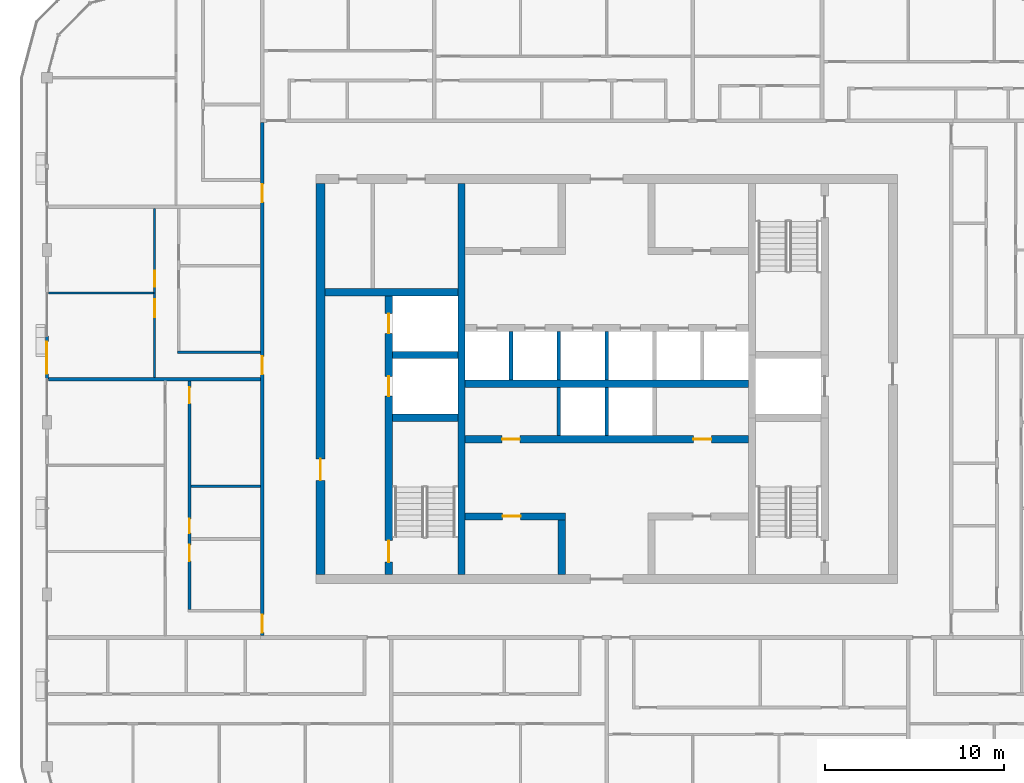
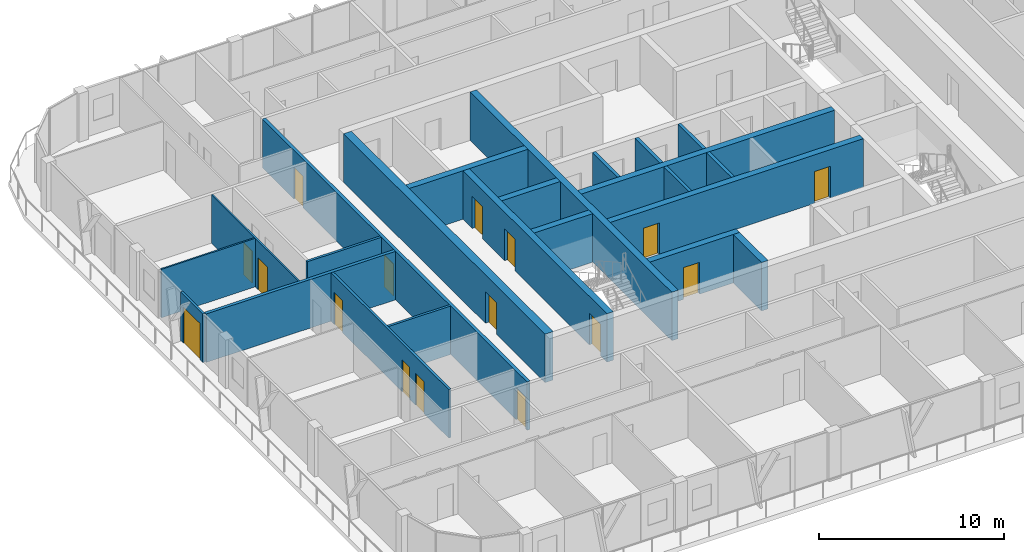
# One storey, part 10 of 21: 23 walls, 16 doors, 16 openings.
"""IFC4 building model written with IfcOpenShell, lengths in metres."""

from ifc_helpers import new_model, si_unit, direction, frame, frame_2d, origin, place, context, subcontext, project, spatial, rectangle, extrude, material, layer, layer_set, type_object, element, fill, save


model = new_model("IFC4")

# Units and contexts
model_context = context("Model", 3, precision=1e-05, world=origin(), true_north=direction((0.0, 1.0)))
body_context = subcontext(model_context, "Body", "Model", "MODEL_VIEW")
ifc_project = project(units=[si_unit("LENGTHUNIT", "METRE"), si_unit("AREAUNIT", "SQUARE_METRE"), si_unit("VOLUMEUNIT", "CUBIC_METRE"), si_unit("PLANEANGLEUNIT", "RADIAN"), si_unit("MASSUNIT", "GRAM", prefix="KILO")], contexts=[model_context])

# Site, building, storey
site_placement = place(None, origin())
site = spatial("IfcSite", under=ifc_project, at=site_placement, CompositionType="ELEMENT")
building_placement = place(site_placement, origin())
building = spatial("IfcBuilding", under=site, at=building_placement, Name="Madar Terraces", CompositionType="ELEMENT")
storey_placement = place(building_placement, frame((0.0, 0.0, 275.60009765625)))
storey = spatial("IfcBuildingStorey", under=building, at=storey_placement, Name="L72", CompositionType="ELEMENT", Elevation=275.60009765625)

# Wall, openings, doors
ifc_material_1 = material(Name="Concrete C50/60", Category="concrete")
ifc_layer_1 = layer(ifc_material_1, 0.39990234375)
ifc_layer_set_1 = layer_set([ifc_layer_1], Name="Concrete C50/60 (CIW6 RC wall 400)")
wall_type_1 = type_object("IfcWallType", Name="CIW6 RC wall 400", PredefinedType="SHEAR", material=ifc_layer_set_1)
wall_1_placement = place(storey_placement, frame((19.050048828125, 15.5, 0.0), z_axis=(0.0, 0.0, 1.0), x_axis=(0.0, 1.0, 0.0)))
wall_1 = element("IfcWall", 1, at=wall_1_placement, inside=storey, type_object=wall_type_1, Name="CORE SHAFT WALL", PredefinedType="SHEAR", context=body_context, shape_type="SweptSolid", body=[
    extrude(rectangle(XDim=15.550048828125, YDim=0.39990234375, at=frame_2d((7.77490234375, 0.0))), origin(), (0.0, 0.0, 1.0), 3.199951171875),
])
opening_1_placement = place(wall_1_placement, frame((9.949951171875, 0.0, 0.0)))
opening_1 = element("IfcOpeningElement", 2, at=opening_1_placement, cuts=wall_1, Name="Opening LD", PredefinedType="OPENING", context=body_context, shape_type="SweptSolid", body=[
    extrude(rectangle(XDim=1.10009765625, YDim=2.10009765625, at=frame_2d((0.550048828125, 1.050048828125))), frame((0.0, 0.2099609375, 0.0), z_axis=(0.0, -1.0, 0.0), x_axis=(1.0, 0.0, 0.0)), (0.0, 0.0, 1.0), 0.419921875),
])
opening_2_placement = place(wall_1_placement, frame((13.449951171875, 0.0, 0.0)))
opening_2 = element("IfcOpeningElement", 3, at=opening_2_placement, cuts=wall_1, Name="Opening LD", PredefinedType="OPENING", context=body_context, shape_type="SweptSolid", body=[
    extrude(rectangle(XDim=1.10009765625, YDim=2.10009765625, at=frame_2d((0.550048828125, 1.050048828125))), frame((0.0, 0.2099609375, 0.0), z_axis=(0.0, -1.0, 0.0), x_axis=(1.0, 0.0, 0.0)), (0.0, 0.0, 1.0), 0.419921875),
])
opening_3_placement = place(wall_1_placement, frame((0.699951171875, 0.0, 0.0)))
opening_3 = element("IfcOpeningElement", 4, at=opening_3_placement, cuts=wall_1, Name="Opening SD1", PredefinedType="OPENING", context=body_context, shape_type="SweptSolid", body=[
    extrude(rectangle(XDim=1.199951171875, YDim=2.10009765625, at=frame_2d((0.60009765625, 1.050048828125))), frame((0.0, 0.2099609375, 0.0), z_axis=(0.0, -1.0, 0.0), x_axis=(1.0, 0.0, 0.0)), (0.0, 0.0, 1.0), 0.419921875),
])
ifc_material_2 = material(Name="Stainless steel panel", Category="steel")
door_type_1 = type_object("IfcDoorType", Name="Lift landing door 1100 x 2100", OperationType="DOUBLE_DOOR_SLIDING", PredefinedType="DOOR", material=ifc_material_2)
door_1_placement = place(opening_1_placement, origin())
door_1 = element("IfcDoor", 5, at=door_1_placement, inside=storey, type_object=door_type_1, Name="LIFT LANDING DOOR", OperationType="DOUBLE_DOOR_SLIDING", OverallHeight=2.10009765625, OverallWidth=1.10009765625, PredefinedType="DOOR", context=body_context, shape_type="SweptSolid", body=[
    extrude(rectangle(XDim=1.10009765625, YDim=2.10009765625, at=frame_2d((0.550048828125, 1.050048828125))), frame((0.0, 0.02490234375, 0.0), z_axis=(0.0, -1.0, 0.0), x_axis=(1.0, 0.0, 0.0)), (0.0, 0.0, 1.0), 0.050048828125),
])
fill(opening_1, door_1)
door_2_placement = place(opening_2_placement, origin())
door_2 = element("IfcDoor", 6, at=door_2_placement, inside=storey, type_object=door_type_1, Name="LIFT LANDING DOOR", OperationType="DOUBLE_DOOR_SLIDING", OverallHeight=2.10009765625, OverallWidth=1.10009765625, PredefinedType="DOOR", context=body_context, shape_type="SweptSolid", body=[
    extrude(rectangle(XDim=1.10009765625, YDim=2.10009765625, at=frame_2d((0.550048828125, 1.050048828125))), frame((0.0, 0.02490234375, 0.0), z_axis=(0.0, -1.0, 0.0), x_axis=(1.0, 0.0, 0.0)), (0.0, 0.0, 1.0), 0.050048828125),
])
fill(opening_2, door_2)
ifc_material_3 = material(Name="Steel door leaf", Category="steel")
door_type_2 = type_object("IfcDoorType", Name="Stair door 1200 x 2100", OperationType="NOTDEFINED", PredefinedType="DOOR", material=ifc_material_3)
door_3_placement = place(opening_3_placement, frame((1.199951171875, 0.0, 0.0), z_axis=(0.0, 0.0, 1.0), x_axis=(-1.0, 0.0, 0.0)))
door_3 = element("IfcDoor", 7, at=door_3_placement, inside=storey, type_object=door_type_2, Name="STAIR DOOR", OperationType="SINGLE_SWING_RIGHT", OverallHeight=2.10009765625, OverallWidth=1.199951171875, PredefinedType="DOOR", context=body_context, shape_type="SweptSolid", body=[
    extrude(rectangle(XDim=1.199951171875, YDim=2.10009765625, at=frame_2d((0.60009765625, 1.050048828125))), frame((0.0, 0.02490234375, 0.0), z_axis=(0.0, -1.0, 0.0), x_axis=(1.0, 0.0, 0.0)), (0.0, 0.0, 1.0), 0.050048828125),
])
fill(opening_3, door_3)

# Walls
wall_2_placement = place(storey_placement, frame((23.10009765625, 15.5, 0.0), z_axis=(0.0, 0.0, 1.0), x_axis=(0.0, 1.0, 0.0)))
element("IfcWall", 8, at=wall_2_placement, inside=storey, type_object=wall_type_1, Name="CORE SHAFT WALL", PredefinedType="SHEAR", context=body_context, shape_type="SweptSolid", body=[
    extrude(rectangle(XDim=21.800048828125, YDim=0.39990234375, at=frame_2d((10.89990234375, 0.0))), origin(), (0.0, 0.0, 1.0), 3.199951171875),
])
for number, where, z_axis, x_axis, name in (
    (9, (19.25, 24.25, 0.0), (0.0, 0.0, 1.0), (1.0, 0.0, 0.0), "CORE SHAFT WALL"),
    (10, (19.25, 27.75, 0.0), (0.0, 0.0, 1.0), (1.0, 0.0, 0.0), "CORE SHAFT WALL"),
):
    element("IfcWall", number, at=place(storey_placement, frame(where, z_axis=z_axis, x_axis=x_axis)), inside=storey, type_object=wall_type_1, Name=name, PredefinedType="SHEAR", context=body_context, shape_type="SweptSolid", body=[
        extrude(rectangle(XDim=3.64990234375, YDim=0.39990234375, at=frame_2d((1.824951171875, 0.0))), origin(), (0.0, 0.0, 1.0), 3.199951171875),
    ])
wall_3_placement = place(storey_placement, frame((15.5, 31.25, 0.0), z_axis=(0.0, 0.0, 1.0), x_axis=(1.0, 0.0, 0.0)))
element("IfcWall", 11, at=wall_3_placement, inside=storey, type_object=wall_type_1, Name="CORE SHAFT WALL", PredefinedType="SHEAR", context=body_context, shape_type="SweptSolid", body=[
    extrude(rectangle(XDim=7.39990234375, YDim=0.39990234375, at=frame_2d((3.699951171875, 0.0))), origin(), (0.0, 0.0, 1.0), 3.199951171875),
])

# Wall, opening, door
wall_4_placement = place(storey_placement, frame((23.300048828125, 18.75, 0.0), z_axis=(0.0, 0.0, 1.0), x_axis=(1.0, 0.0, 0.0)))
wall_4 = element("IfcWall", 12, at=wall_4_placement, inside=storey, type_object=wall_type_1, Name="CORE SHAFT WALL", PredefinedType="SHEAR", context=body_context, shape_type="SweptSolid", body=[
    extrude(rectangle(XDim=5.599853515625, YDim=0.39990234375, at=frame_2d((2.7998046875, 0.0))), origin(), (0.0, 0.0, 1.0), 3.199951171875),
])
opening_4_placement = place(wall_4_placement, frame((2.10009765625, 0.0, 0.0)))
opening_4 = element("IfcOpeningElement", 13, at=opening_4_placement, cuts=wall_4, Name="Opening KD2", PredefinedType="OPENING", context=body_context, shape_type="SweptSolid", body=[
    extrude(rectangle(XDim=1.0, YDim=2.10009765625, at=frame_2d((0.5, 1.050048828125))), frame((0.0, 0.2099609375, 0.0), z_axis=(0.0, -1.0, 0.0), x_axis=(1.0, 0.0, 0.0)), (0.0, 0.0, 1.0), 0.419921875),
])
ifc_material_4 = material(Name="Steel door leaf", Category="steel")
door_type_3 = type_object("IfcDoorType", Name="Service room door 1000 x 2100", OperationType="NOTDEFINED", PredefinedType="DOOR", material=ifc_material_4)
door_4_placement = place(opening_4_placement, origin())
door_4 = element("IfcDoor", 14, at=door_4_placement, inside=storey, type_object=door_type_3, Name="SERVICE ROOM DOOR", OperationType="SINGLE_SWING_LEFT", OverallHeight=2.10009765625, OverallWidth=1.0, PredefinedType="DOOR", context=body_context, shape_type="SweptSolid", body=[
    extrude(rectangle(XDim=1.0, YDim=2.10009765625, at=frame_2d((0.5, 1.050048828125))), frame((0.0, 0.02490234375, 0.0), z_axis=(0.0, -1.0, 0.0), x_axis=(1.0, 0.0, 0.0)), (0.0, 0.0, 1.0), 0.050048828125),
])
fill(opening_4, door_4)

# Wall, openings, doors
wall_5_placement = place(storey_placement, frame((23.300048828125, 23.050048828125, 0.0), z_axis=(0.0, 0.0, 1.0), x_axis=(1.0, 0.0, 0.0)))
wall_5 = element("IfcWall", 15, at=wall_5_placement, inside=storey, type_object=wall_type_1, Name="CORE SHAFT WALL", PredefinedType="SHEAR", context=body_context, shape_type="SweptSolid", body=[
    extrude(rectangle(XDim=15.800048828125, YDim=0.39990234375, at=frame_2d((7.89990234375, 0.0))), origin(), (0.0, 0.0, 1.0), 3.199951171875),
])
opening_5_placement = place(wall_5_placement, frame((2.066650390625, 0.0, 0.0)))
opening_5 = element("IfcOpeningElement", 16, at=opening_5_placement, cuts=wall_5, Name="Opening KD2", PredefinedType="OPENING", context=body_context, shape_type="SweptSolid", body=[
    extrude(rectangle(XDim=1.0, YDim=2.10009765625, at=frame_2d((0.5, 1.050048828125))), frame((0.0, 0.2099609375, 0.0), z_axis=(0.0, -1.0, 0.0), x_axis=(1.0, 0.0, 0.0)), (0.0, 0.0, 1.0), 0.419921875),
])
opening_6_placement = place(wall_5_placement, frame((12.7333984375, 0.0, 0.0)))
opening_6 = element("IfcOpeningElement", 17, at=opening_6_placement, cuts=wall_5, Name="Opening KD2", PredefinedType="OPENING", context=body_context, shape_type="SweptSolid", body=[
    extrude(rectangle(XDim=1.0, YDim=2.10009765625, at=frame_2d((0.5, 1.050048828125))), frame((0.0, 0.2099609375, 0.0), z_axis=(0.0, -1.0, 0.0), x_axis=(1.0, 0.0, 0.0)), (0.0, 0.0, 1.0), 0.419921875),
])
door_5_placement = place(opening_5_placement, frame((1.0, 0.0, 0.0), z_axis=(0.0, 0.0, 1.0), x_axis=(-1.0, 0.0, 0.0)))
door_5 = element("IfcDoor", 18, at=door_5_placement, inside=storey, type_object=door_type_3, Name="SERVICE ROOM DOOR", OperationType="SINGLE_SWING_LEFT", OverallHeight=2.10009765625, OverallWidth=1.0, PredefinedType="DOOR", context=body_context, shape_type="SweptSolid", body=[
    extrude(rectangle(XDim=1.0, YDim=2.10009765625, at=frame_2d((0.5, 1.050048828125))), frame((0.0, 0.02490234375, 0.0), z_axis=(0.0, -1.0, 0.0), x_axis=(1.0, 0.0, 0.0)), (0.0, 0.0, 1.0), 0.050048828125),
])
fill(opening_5, door_5)
door_6_placement = place(opening_6_placement, frame((1.0, 0.0, 0.0), z_axis=(0.0, 0.0, 1.0), x_axis=(-1.0, 0.0, 0.0)))
door_6 = element("IfcDoor", 19, at=door_6_placement, inside=storey, type_object=door_type_3, Name="SERVICE ROOM DOOR", OperationType="SINGLE_SWING_RIGHT", OverallHeight=2.10009765625, OverallWidth=1.0, PredefinedType="DOOR", context=body_context, shape_type="SweptSolid", body=[
    extrude(rectangle(XDim=1.0, YDim=2.10009765625, at=frame_2d((0.5, 1.050048828125))), frame((0.0, 0.02490234375, 0.0), z_axis=(0.0, -1.0, 0.0), x_axis=(1.0, 0.0, 0.0)), (0.0, 0.0, 1.0), 0.050048828125),
])
fill(opening_6, door_6)

# Walls
wall_6_placement = place(storey_placement, frame((23.300048828125, 26.14990234375, 0.0), z_axis=(0.0, 0.0, 1.0), x_axis=(1.0, 0.0, 0.0)))
element("IfcWall", 20, at=wall_6_placement, inside=storey, type_object=wall_type_1, Name="CORE SHAFT WALL", PredefinedType="SHEAR", context=body_context, shape_type="SweptSolid", body=[
    extrude(rectangle(XDim=15.800048828125, YDim=0.39990234375, at=frame_2d((7.89990234375, 0.0))), origin(), (0.0, 0.0, 1.0), 3.199951171875),
])
wall_7_placement = place(storey_placement, frame((28.699951171875, 15.5, 0.0), z_axis=(0.0, 0.0, 1.0), x_axis=(0.0, 1.0, 0.0)))
element("IfcWall", 21, at=wall_7_placement, inside=storey, type_object=wall_type_1, Name="CORE SHAFT WALL", PredefinedType="SHEAR", context=body_context, shape_type="SweptSolid", body=[
    extrude(rectangle(XDim=3.050048828125, YDim=0.39990234375, at=frame_2d((1.52490234375, 0.0))), origin(), (0.0, 0.0, 1.0), 3.199951171875),
])

# Wall, opening, door
ifc_material_5 = material(Name="Concrete C50/60", Category="concrete")
ifc_layer_2 = layer(ifc_material_5, 0.5)
ifc_layer_set_2 = layer_set([ifc_layer_2], Name="Concrete C50/60 (CRW6 RC wall 500)")
wall_type_2 = type_object("IfcWallType", Name="CRW6 RC wall 500", PredefinedType="SHEAR", material=ifc_layer_set_2)
wall_8_placement = place(storey_placement, frame((15.25, 15.5, 0.0), z_axis=(0.0, 0.0, 1.0), x_axis=(0.0, 1.0, 0.0)))
wall_8 = element("IfcWall", 22, at=wall_8_placement, inside=storey, type_object=wall_type_2, Name="CORE OUTER WALL", PredefinedType="SHEAR", context=body_context, shape_type="SweptSolid", body=[
    extrude(rectangle(XDim=21.800048828125, YDim=0.5, at=frame_2d((10.89990234375, 0.0))), origin(), (0.0, 0.0, 1.0), 3.199951171875),
])
opening_7_placement = place(wall_8_placement, frame((5.260009765625, 0.0, 0.0)))
opening_7 = element("IfcOpeningElement", 23, at=opening_7_placement, cuts=wall_8, Name="Opening SD1", PredefinedType="OPENING", context=body_context, shape_type="SweptSolid", body=[
    extrude(rectangle(XDim=1.199951171875, YDim=2.10009765625, at=frame_2d((0.60009765625, 1.050048828125))), frame((0.0, 0.260009765625, 0.0), z_axis=(0.0, -1.0, 0.0), x_axis=(1.0, 0.0, 0.0)), (0.0, 0.0, 1.0), 0.52001953125),
])
door_7_placement = place(opening_7_placement, frame((1.199951171875, 0.0, 0.0), z_axis=(0.0, 0.0, 1.0), x_axis=(-1.0, 0.0, 0.0)))
door_7 = element("IfcDoor", 24, at=door_7_placement, inside=storey, type_object=door_type_2, Name="STAIR DOOR", OperationType="SINGLE_SWING_LEFT", OverallHeight=2.10009765625, OverallWidth=1.199951171875, PredefinedType="DOOR", context=body_context, shape_type="SweptSolid", body=[
    extrude(rectangle(XDim=1.199951171875, YDim=2.10009765625, at=frame_2d((0.60009765625, 1.050048828125))), frame((0.0, 0.02490234375, 0.0), z_axis=(0.0, -1.0, 0.0), x_axis=(1.0, 0.0, 0.0)), (0.0, 0.0, 1.0), 0.050048828125),
])
fill(opening_7, door_7)

# Walls
ifc_material_6 = material(Name="Concrete C40/50", Category="concrete")
ifc_layer_3 = layer(ifc_material_6, 0.199951171875)
ifc_layer_set_3 = layer_set([ifc_layer_3], Name="Core shaft dividing wall 200 C40/50")
wall_type_3 = type_object("IfcWallType", Name="Core shaft dividing wall 200 C40/50", PredefinedType="SOLIDWALL", material=ifc_layer_set_3)
for number, where, z_axis, x_axis, name in (
    (25, (25.86669921875, 26.35009765625, 0.0), (0.0, 0.0, 1.0), (0.0, 1.0, 0.0), "SHAFT DIVIDING WALL"),
    (26, (28.533447265625, 23.25, 0.0), (0.0, 0.0, 1.0), (0.0, 1.0, 0.0), "SHAFT DIVIDING WALL"),
    (27, (28.533447265625, 26.35009765625, 0.0), (0.0, 0.0, 1.0), (0.0, 1.0, 0.0), "SHAFT DIVIDING WALL"),
    (28, (31.199951171875, 23.25, 0.0), (0.0, 0.0, 1.0), (0.0, 1.0, 0.0), "SHAFT DIVIDING WALL"),
    (29, (31.199951171875, 26.35009765625, 0.0), (0.0, 0.0, 1.0), (0.0, 1.0, 0.0), "SHAFT DIVIDING WALL"),
):
    element("IfcWall", number, at=place(storey_placement, frame(where, z_axis=z_axis, x_axis=x_axis)), inside=storey, type_object=wall_type_3, Name=name, PredefinedType="SOLIDWALL", context=body_context, shape_type="SweptSolid", body=[
        extrude(rectangle(XDim=2.699951171875, YDim=0.199951171875, at=frame_2d((1.35009765625, 0.0))), origin(), (0.0, 0.0, 1.0), 3.199951171875),
    ])

# Wall, opening, door
ifc_material_7 = material(Name="Aluminium composite panel, black, over insulated backing", Category="aluminium")
ifc_layer_4 = layer(ifc_material_7, 0.14990234375)
ifc_layer_set_4 = layer_set([ifc_layer_4], Name="Facade bay panel 150")
wall_type_4 = type_object("IfcWallType", Name="Facade bay panel 150", PredefinedType="SOLIDWALL", material=ifc_layer_set_4)
wall_9_placement = place(storey_placement, frame((0.0, 28.800048828125, 0.0), z_axis=(0.0, 0.0, 1.0), x_axis=(0.0, -1.0, 0.0)))
wall_9 = element("IfcWall", 30, at=wall_9_placement, inside=storey, type_object=wall_type_4, Name="Facade bay panel", PredefinedType="SOLIDWALL", context=body_context, shape_type="SweptSolid", body=[
    extrude(rectangle(XDim=2.400146484375, YDim=0.14990234375, at=frame_2d((1.2001953125, 0.0))), origin(), (0.0, 0.0, 1.0), 3.199951171875),
])
opening_8_placement = place(wall_9_placement, frame((0.300048828125, 0.0, 0.0)))
opening_8 = element("IfcOpeningElement", 31, at=opening_8_placement, cuts=wall_9, Name="Opening ED1", PredefinedType="OPENING", context=body_context, shape_type="SweptSolid", body=[
    extrude(rectangle(XDim=1.800048828125, YDim=2.39990234375, at=frame_2d((0.89990234375, 1.199951171875))), frame((0.0, 0.0849609375, 0.0), z_axis=(0.0, -1.0, 0.0), x_axis=(1.0, 0.0, 0.0)), (0.0, 0.0, 1.0), 0.169921875),
])
ifc_material_8 = material(Name="Glass, clear, with black aluminium frame", Category="aluminium")
door_type_4 = type_object("IfcDoorType", Name="Balcony and terrace sliding door 1800 x 2400", OperationType="SLIDING_TO_LEFT", PredefinedType="DOOR", material=ifc_material_8)
door_8_placement = place(opening_8_placement, origin())
door_8 = element("IfcDoor", 32, at=door_8_placement, inside=storey, type_object=door_type_4, Name="Balcony door", OperationType="SLIDING_TO_RIGHT", OverallHeight=2.39990234375, OverallWidth=1.800048828125, PredefinedType="DOOR", context=body_context, shape_type="SweptSolid", body=[
    extrude(rectangle(XDim=1.800048828125, YDim=2.39990234375, at=frame_2d((0.89990234375, 1.199951171875))), frame((0.0, 0.02490234375, 0.0), z_axis=(0.0, -1.0, 0.0), x_axis=(1.0, 0.0, 0.0)), (0.0, 0.0, 1.0), 0.050048828125),
])
fill(opening_8, door_8)

# Wall
ifc_material_9 = material(Name="Gypsum board on steel studs", Category="steel")
ifc_layer_5 = layer(ifc_material_9, 0.10009765625)
ifc_layer_set_5 = layer_set([ifc_layer_5], Name="Flat partition 100")
wall_type_5 = type_object("IfcWallType", Name="Flat partition 100", PredefinedType="PARTITIONING", material=ifc_layer_set_5)
wall_10_placement = place(storey_placement, frame((5.949951171875, 31.199951171875, 0.0), z_axis=(0.0, 0.0, 1.0), x_axis=(-1.0, 0.0, 0.0)))
element("IfcWall", 33, at=wall_10_placement, inside=storey, type_object=wall_type_5, Name="Flat partition 100", PredefinedType="PARTITIONING", context=body_context, shape_type="SweptSolid", body=[
    extrude(rectangle(XDim=5.849853515625, YDim=0.10009765625, at=frame_2d((2.9248046875, 0.0))), origin(), (0.0, 0.0, 1.0), 3.199951171875),
])

# Wall, openings, doors
wall_11_placement = place(storey_placement, frame((6.0, 26.5, 0.0), z_axis=(0.0, 0.0, 1.0), x_axis=(0.0, 1.0, 0.0)))
wall_11 = element("IfcWall", 34, at=wall_11_placement, inside=storey, type_object=wall_type_5, Name="Flat partition 100", PredefinedType="PARTITIONING", context=body_context, shape_type="SweptSolid", body=[
    extrude(rectangle(XDim=9.39990234375, YDim=0.10009765625, at=frame_2d((4.699951171875, 0.0))), origin(), (0.0, 0.0, 1.0), 3.199951171875),
])
opening_9_placement = place(wall_11_placement, frame((3.35009765625, 0.0, 0.0)))
opening_9 = element("IfcOpeningElement", 35, at=opening_9_placement, cuts=wall_11, Name="Opening D3", PredefinedType="OPENING", context=body_context, shape_type="SweptSolid", body=[
    extrude(rectangle(XDim=1.0, YDim=2.10009765625, at=frame_2d((0.5, 1.050048828125))), frame((0.0, 0.06005859375, 0.0), z_axis=(0.0, -1.0, 0.0), x_axis=(1.0, 0.0, 0.0)), (0.0, 0.0, 1.0), 0.1201171875),
])
opening_10_placement = place(wall_11_placement, frame((5.050048828125, 0.0, 0.0)))
opening_10 = element("IfcOpeningElement", 36, at=opening_10_placement, cuts=wall_11, Name="Opening D2", PredefinedType="OPENING", context=body_context, shape_type="SweptSolid", body=[
    extrude(rectangle(XDim=0.89990234375, YDim=2.10009765625, at=frame_2d((0.449951171875, 1.050048828125))), frame((0.0, 0.06005859375, 0.0), z_axis=(0.0, -1.0, 0.0), x_axis=(1.0, 0.0, 0.0)), (0.0, 0.0, 1.0), 0.1201171875),
])
ifc_material_10 = material(Name="Timber door leaf", Category="wood")
door_type_5 = type_object("IfcDoorType", Name="Flat living room door 1000", OperationType="NOTDEFINED", PredefinedType="DOOR", material=ifc_material_10)
door_9_placement = place(opening_9_placement, origin())
door_9 = element("IfcDoor", 37, at=door_9_placement, inside=storey, type_object=door_type_5, Name="Flat living room door 1000", OperationType="SINGLE_SWING_RIGHT", OverallHeight=2.10009765625, OverallWidth=1.0, PredefinedType="DOOR", context=body_context, shape_type="SweptSolid", body=[
    extrude(rectangle(XDim=1.0, YDim=2.10009765625, at=frame_2d((0.5, 1.050048828125))), frame((0.0, 0.02490234375, 0.0), z_axis=(0.0, -1.0, 0.0), x_axis=(1.0, 0.0, 0.0)), (0.0, 0.0, 1.0), 0.050048828125),
])
fill(opening_9, door_9)
ifc_material_11 = material(Name="Timber door leaf", Category="wood")
door_type_6 = type_object("IfcDoorType", Name="Flat room door 900", OperationType="NOTDEFINED", PredefinedType="DOOR", material=ifc_material_11)
door_10_placement = place(opening_10_placement, origin())
door_10 = element("IfcDoor", 38, at=door_10_placement, inside=storey, type_object=door_type_6, Name="Flat room door 900", OperationType="SINGLE_SWING_LEFT", OverallHeight=2.10009765625, OverallWidth=0.89990234375, PredefinedType="DOOR", context=body_context, shape_type="SweptSolid", body=[
    extrude(rectangle(XDim=0.89990234375, YDim=2.10009765625, at=frame_2d((0.449951171875, 1.050048828125))), frame((0.0, 0.02490234375, 0.0), z_axis=(0.0, -1.0, 0.0), x_axis=(1.0, 0.0, 0.0)), (0.0, 0.0, 1.0), 0.050048828125),
])
fill(opening_10, door_10)

ifc_material_12 = material(Name="Lightweight blockwork", Category="masonry")
ifc_layer_6 = layer(ifc_material_12, 0.199951171875)
ifc_layer_set_6 = layer_set([ifc_layer_6], Name="Flat party and entrance wall 200")
wall_type_6 = type_object("IfcWallType", Name="Flat party and entrance wall 200", PredefinedType="PARTITIONING", material=ifc_layer_set_6)
wall_12_placement = place(storey_placement, frame((12.0, 12.10009765625, 0.0), z_axis=(0.0, 0.0, 1.0), x_axis=(0.0, 1.0, 0.0)))
wall_12 = element("IfcWall", 39, at=wall_12_placement, inside=storey, type_object=wall_type_6, Name="Flat party and entrance wall 200", PredefinedType="PARTITIONING", context=body_context, shape_type="SweptSolid", body=[
    extrude(rectangle(XDim=28.599853515625, YDim=0.199951171875, at=frame_2d((14.2998046875, 0.0))), origin(), (0.0, 0.0, 1.0), 3.199951171875),
])
opening_11_placement = place(wall_12_placement, frame((24.175048828125, 0.0, 0.0)))
opening_11 = element("IfcOpeningElement", 40, at=opening_11_placement, cuts=wall_12, Name="Opening D1", PredefinedType="OPENING", context=body_context, shape_type="SweptSolid", body=[
    extrude(rectangle(XDim=1.0, YDim=2.10009765625, at=frame_2d((0.5, 1.050048828125))), frame((0.0, 0.10986328125, 0.0), z_axis=(0.0, -1.0, 0.0), x_axis=(1.0, 0.0, 0.0)), (0.0, 0.0, 1.0), 0.219970703125),
])
opening_12_placement = place(wall_12_placement, frame((14.574951171875, 0.0, 0.0)))
opening_12 = element("IfcOpeningElement", 41, at=opening_12_placement, cuts=wall_12, Name="Opening D1", PredefinedType="OPENING", context=body_context, shape_type="SweptSolid", body=[
    extrude(rectangle(XDim=1.0, YDim=2.10009765625, at=frame_2d((0.5, 1.050048828125))), frame((0.0, 0.10986328125, 0.0), z_axis=(0.0, -1.0, 0.0), x_axis=(1.0, 0.0, 0.0)), (0.0, 0.0, 1.0), 0.219970703125),
])
opening_13_placement = place(wall_12_placement, frame((0.175048828125, 0.0, 0.0)))
opening_13 = element("IfcOpeningElement", 42, at=opening_13_placement, cuts=wall_12, Name="Opening D1", PredefinedType="OPENING", context=body_context, shape_type="SweptSolid", body=[
    extrude(rectangle(XDim=1.0, YDim=2.10009765625, at=frame_2d((0.5, 1.050048828125))), frame((0.0, 0.10986328125, 0.0), z_axis=(0.0, -1.0, 0.0), x_axis=(1.0, 0.0, 0.0)), (0.0, 0.0, 1.0), 0.219970703125),
])
ifc_material_13 = material(Name="Timber fire door leaf", Category="wood")
door_type_7 = type_object("IfcDoorType", Name="Flat entrance door 1000 FD30S", OperationType="NOTDEFINED", PredefinedType="DOOR", material=ifc_material_13)
door_11_placement = place(opening_11_placement, origin())
door_11 = element("IfcDoor", 43, at=door_11_placement, inside=storey, type_object=door_type_7, Name="Flat entrance door 1000 FD30S", OperationType="SINGLE_SWING_LEFT", OverallHeight=2.10009765625, OverallWidth=1.0, PredefinedType="DOOR", context=body_context, shape_type="SweptSolid", body=[
    extrude(rectangle(XDim=1.0, YDim=2.10009765625, at=frame_2d((0.5, 1.050048828125))), frame((0.0, 0.02490234375, 0.0), z_axis=(0.0, -1.0, 0.0), x_axis=(1.0, 0.0, 0.0)), (0.0, 0.0, 1.0), 0.050048828125),
])
fill(opening_11, door_11)
door_12_placement = place(opening_12_placement, origin())
door_12 = element("IfcDoor", 44, at=door_12_placement, inside=storey, type_object=door_type_7, Name="Flat entrance door 1000 FD30S", OperationType="SINGLE_SWING_LEFT", OverallHeight=2.10009765625, OverallWidth=1.0, PredefinedType="DOOR", context=body_context, shape_type="SweptSolid", body=[
    extrude(rectangle(XDim=1.0, YDim=2.10009765625, at=frame_2d((0.5, 1.050048828125))), frame((0.0, 0.02490234375, 0.0), z_axis=(0.0, -1.0, 0.0), x_axis=(1.0, 0.0, 0.0)), (0.0, 0.0, 1.0), 0.050048828125),
])
fill(opening_12, door_12)
door_13_placement = place(opening_13_placement, origin())
door_13 = element("IfcDoor", 45, at=door_13_placement, inside=storey, type_object=door_type_7, Name="Flat entrance door 1000 FD30S", OperationType="SINGLE_SWING_LEFT", OverallHeight=2.10009765625, OverallWidth=1.0, PredefinedType="DOOR", context=body_context, shape_type="SweptSolid", body=[
    extrude(rectangle(XDim=1.0, YDim=2.10009765625, at=frame_2d((0.5, 1.050048828125))), frame((0.0, 0.02490234375, 0.0), z_axis=(0.0, -1.0, 0.0), x_axis=(1.0, 0.0, 0.0)), (0.0, 0.0, 1.0), 0.050048828125),
])
fill(opening_13, door_13)

# Walls
wall_13_placement = place(storey_placement, frame((0.10009765625, 26.39990234375, 0.0), z_axis=(0.0, 0.0, 1.0), x_axis=(1.0, 0.0, 0.0)))
element("IfcWall", 46, at=wall_13_placement, inside=storey, type_object=wall_type_6, Name="Flat party and entrance wall 200", PredefinedType="PARTITIONING", context=body_context, shape_type="SweptSolid", body=[
    extrude(rectangle(XDim=11.7998046875, YDim=0.199951171875, at=frame_2d((5.89990234375, 0.0))), origin(), (0.0, 0.0, 1.0), 3.199951171875),
])
ifc_material_14 = material(Name="Lightweight blockwork", Category="masonry")
ifc_layer_7 = layer(ifc_material_14, 0.14990234375)
ifc_layer_set_7 = layer_set([ifc_layer_7], Name="Flat wet-room partition 150")
wall_type_7 = type_object("IfcWallType", Name="Flat wet-room partition 150", PredefinedType="PARTITIONING", material=ifc_layer_set_7)
wall_14_placement = place(storey_placement, frame((11.89990234375, 27.89990234375, 0.0), z_axis=(0.0, 0.0, 1.0), x_axis=(-1.0, 0.0, 0.0)))
element("IfcWall", 47, at=wall_14_placement, inside=storey, type_object=wall_type_7, Name="Flat wet-room partition 150", PredefinedType="PARTITIONING", context=body_context, shape_type="SweptSolid", body=[
    extrude(rectangle(XDim=4.625, YDim=0.14990234375, at=frame_2d((2.3125, 0.0))), origin(), (0.0, 0.0, 1.0), 3.199951171875),
])
wall_15_placement = place(storey_placement, frame((11.89990234375, 20.427001953125, 0.0), z_axis=(0.0, 0.0, 1.0), x_axis=(-1.0, 0.0, 0.0)))
element("IfcWall", 48, at=wall_15_placement, inside=storey, type_object=wall_type_7, Name="Flat wet-room partition 150", PredefinedType="PARTITIONING", context=body_context, shape_type="SweptSolid", body=[
    extrude(rectangle(XDim=3.875, YDim=0.14990234375, at=frame_2d((1.9375, 0.0))), origin(), (0.0, 0.0, 1.0), 3.199951171875),
])

# Wall, openings, doors
wall_16_placement = place(storey_placement, frame((7.949951171875, 26.300048828125, 0.0), z_axis=(0.0, 0.0, 1.0), x_axis=(0.0, -1.0, 0.0)))
wall_16 = element("IfcWall", 49, at=wall_16_placement, inside=storey, type_object=wall_type_7, Name="Flat wet-room partition 150", PredefinedType="PARTITIONING", context=body_context, shape_type="SweptSolid", body=[
    extrude(rectangle(XDim=12.72509765625, YDim=0.14990234375, at=frame_2d((6.362548828125, 0.0))), origin(), (0.0, 0.0, 1.0), 3.199951171875),
])
opening_14_placement = place(wall_16_placement, frame((9.134521484375, 0.0, 0.0)))
opening_14 = element("IfcOpeningElement", 50, at=opening_14_placement, cuts=wall_16, Name="Opening D5", PredefinedType="OPENING", context=body_context, shape_type="SweptSolid", body=[
    extrude(rectangle(XDim=0.89990234375, YDim=2.10009765625, at=frame_2d((0.449951171875, 1.050048828125))), frame((0.0, 0.0849609375, 0.0), z_axis=(0.0, -1.0, 0.0), x_axis=(1.0, 0.0, 0.0)), (0.0, 0.0, 1.0), 0.169921875),
])
opening_15_placement = place(wall_16_placement, frame((7.6845703125, 0.0, 0.0)))
opening_15 = element("IfcOpeningElement", 51, at=opening_15_placement, cuts=wall_16, Name="Opening D4", PredefinedType="OPENING", context=body_context, shape_type="SweptSolid", body=[
    extrude(rectangle(XDim=0.800048828125, YDim=2.10009765625, at=frame_2d((0.39990234375, 1.050048828125))), frame((0.0, 0.0849609375, 0.0), z_axis=(0.0, -1.0, 0.0), x_axis=(1.0, 0.0, 0.0)), (0.0, 0.0, 1.0), 0.169921875),
])
opening_16_placement = place(wall_16_placement, frame((0.35009765625, 0.0, 0.0)))
opening_16 = element("IfcOpeningElement", 52, at=opening_16_placement, cuts=wall_16, Name="Opening D2", PredefinedType="OPENING", context=body_context, shape_type="SweptSolid", body=[
    extrude(rectangle(XDim=0.89990234375, YDim=2.10009765625, at=frame_2d((0.449951171875, 1.050048828125))), frame((0.0, 0.0849609375, 0.0), z_axis=(0.0, -1.0, 0.0), x_axis=(1.0, 0.0, 0.0)), (0.0, 0.0, 1.0), 0.169921875),
])
ifc_material_15 = material(Name="Timber door leaf", Category="wood")
door_type_8 = type_object("IfcDoorType", Name="Flat accessible bathroom door 900", OperationType="NOTDEFINED", PredefinedType="DOOR", material=ifc_material_15)
door_14_placement = place(opening_14_placement, origin())
door_14 = element("IfcDoor", 53, at=door_14_placement, inside=storey, type_object=door_type_8, Name="Flat accessible bathroom door 900", OperationType="SINGLE_SWING_LEFT", OverallHeight=2.10009765625, OverallWidth=0.89990234375, PredefinedType="DOOR", context=body_context, shape_type="SweptSolid", body=[
    extrude(rectangle(XDim=0.89990234375, YDim=2.10009765625, at=frame_2d((0.449951171875, 1.050048828125))), frame((0.0, 0.02490234375, 0.0), z_axis=(0.0, -1.0, 0.0), x_axis=(1.0, 0.0, 0.0)), (0.0, 0.0, 1.0), 0.050048828125),
])
fill(opening_14, door_14)
ifc_material_16 = material(Name="Timber door leaf", Category="wood")
door_type_9 = type_object("IfcDoorType", Name="Flat bathroom door 800", OperationType="NOTDEFINED", PredefinedType="DOOR", material=ifc_material_16)
door_15_placement = place(opening_15_placement, origin())
door_15 = element("IfcDoor", 54, at=door_15_placement, inside=storey, type_object=door_type_9, Name="Flat bathroom door 800", OperationType="SINGLE_SWING_RIGHT", OverallHeight=2.10009765625, OverallWidth=0.800048828125, PredefinedType="DOOR", context=body_context, shape_type="SweptSolid", body=[
    extrude(rectangle(XDim=0.800048828125, YDim=2.10009765625, at=frame_2d((0.39990234375, 1.050048828125))), frame((0.0, 0.02490234375, 0.0), z_axis=(0.0, -1.0, 0.0), x_axis=(1.0, 0.0, 0.0)), (0.0, 0.0, 1.0), 0.050048828125),
])
fill(opening_15, door_15)
door_16_placement = place(opening_16_placement, origin())
door_16 = element("IfcDoor", 55, at=door_16_placement, inside=storey, type_object=door_type_6, Name="Flat room door 900", OperationType="SINGLE_SWING_LEFT", OverallHeight=2.10009765625, OverallWidth=0.89990234375, PredefinedType="DOOR", context=body_context, shape_type="SweptSolid", body=[
    extrude(rectangle(XDim=0.89990234375, YDim=2.10009765625, at=frame_2d((0.449951171875, 1.050048828125))), frame((0.0, 0.02490234375, 0.0), z_axis=(0.0, -1.0, 0.0), x_axis=(1.0, 0.0, 0.0)), (0.0, 0.0, 1.0), 0.050048828125),
])
fill(opening_16, door_16)

save(model, "model.ifc")
